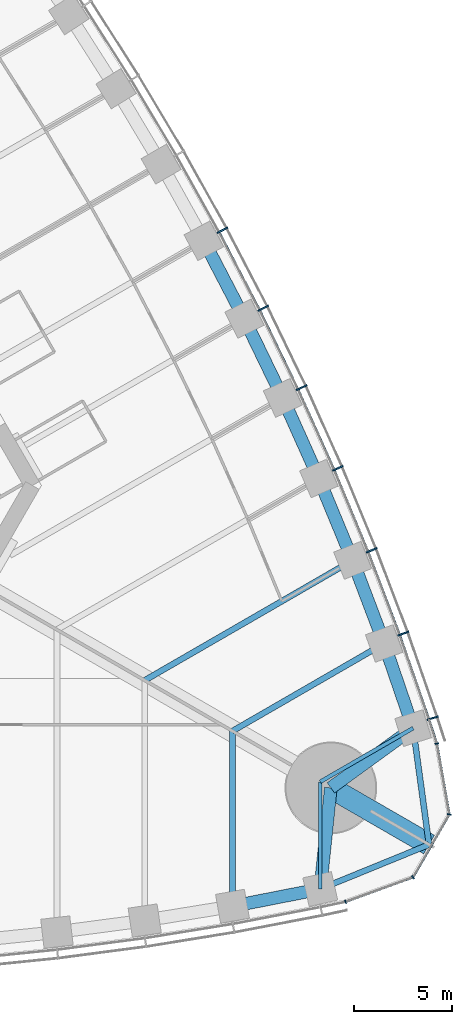
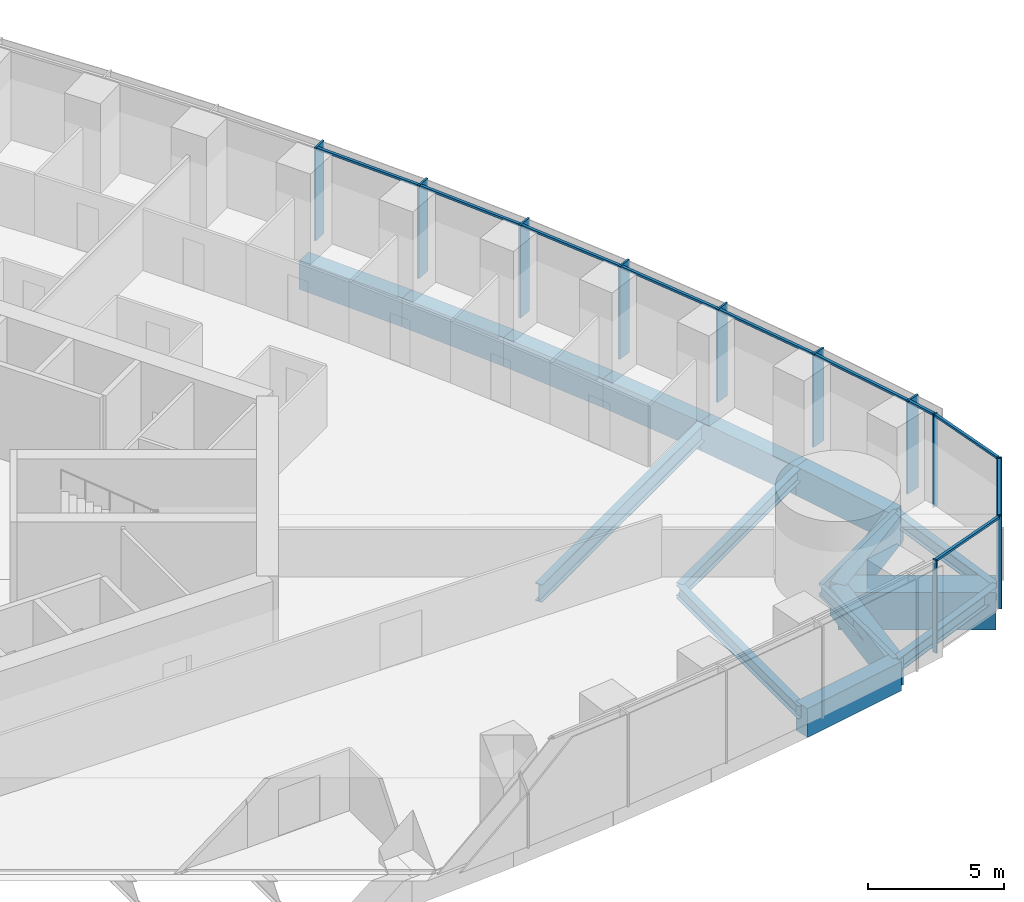
# One storey, part 6 of 18: 21 members, 17 beams, 2 elements without a shape of their own.
"""IFC4 building model written with IfcOpenShell, lengths in metres."""

from ifc_helpers import new_model, si_unit, direction, frame, origin, origin_2d, place, context, subcontext, project, spatial, rectangle, i_section, extrude, material, material_profile, profile_set, type_object, element, aggregate, save


model = new_model("IFC4")

# Units and contexts
model_context = context("Model", 3, precision=1e-05, world=origin(), true_north=direction((0.0, 1.0)))
body_context = subcontext(model_context, "Body", "Model", "MODEL_VIEW")
ifc_project = project(units=[si_unit("LENGTHUNIT", "METRE"), si_unit("AREAUNIT", "SQUARE_METRE"), si_unit("VOLUMEUNIT", "CUBIC_METRE"), si_unit("PLANEANGLEUNIT", "RADIAN"), si_unit("MASSUNIT", "GRAM", prefix="KILO")], contexts=[model_context])

# Site, building, storey
site_placement = place(None, origin())
site = spatial("IfcSite", under=ifc_project, at=site_placement, CompositionType="ELEMENT")
building_placement = place(site_placement, origin())
building = spatial("IfcBuilding", under=site, at=building_placement, Name="Trefoil Bronze Tower", CompositionType="ELEMENT")
storey_placement = place(building_placement, frame((0.0, 0.0, 54.300048828125)))
storey = spatial("IfcBuildingStorey", under=building, at=storey_placement, Name="L12", CompositionType="ELEMENT", Elevation=54.300048828125)

# Curtain wall, members
ifc_material_1 = material(Name="Tinted solar-control glass", Category="glass")
curtain_wall_type_1 = type_object("IfcCurtainWallType", Name="Bronze office curtain wall", PredefinedType="USERDEFINED", material=ifc_material_1)
curtain_wall_1_placement = place(storey_placement, origin())
curtain_wall_1 = element("IfcCurtainWall", 1, at=curtain_wall_1_placement, inside=storey, type_object=curtain_wall_type_1, Name="CW-A L12 F2", ObjectType="CURTAIN WALL", PredefinedType="USERDEFINED")
ifc_material_2 = material(Name="Bronze-finish aluminium", Category="aluminium")
ifc_material_profile_1 = material_profile(ifc_material_2, rectangle(XDim=0.60009765625, YDim=0.080078125, at=origin_2d()), Name="CW-A mullion")
ifc_profile_set_1 = profile_set([ifc_material_profile_1], Name="Bronze-finish aluminium")
member_type_1 = type_object("IfcMemberType", Name="Bronze office curtain wall mullion", PredefinedType="MULLION", material=ifc_profile_set_1)
member_1_placement = place(storey_placement, frame((37.265869140625, -14.92626953125, 0.0), z_axis=(0.0, 0.0, 1.0), x_axis=(-0.947850592929, -0.318715003543, 0.0)))
member_1 = element("IfcMember", 2, at=member_1_placement, type_object=member_type_1, Name="CW-A L12 F2 mullion 2", PredefinedType="MULLION", context=body_context, shape_type="SweptSolid", body=[
    extrude(rectangle(XDim=0.60009765625, YDim=0.080078125, at=origin_2d()), origin(), (0.0, 0.0, 1.0), 4.179931640625),
])
member_2_placement = place(storey_placement, frame((35.761962890625, -10.590087890625, 0.0), z_axis=(0.0, 0.0, 1.0), x_axis=(-0.939860248316, -0.341559238839, 0.0)))
member_2 = element("IfcMember", 3, at=member_2_placement, type_object=member_type_1, Name="CW-A L12 F2 mullion 3", PredefinedType="MULLION", context=body_context, shape_type="SweptSolid", body=[
    extrude(rectangle(XDim=0.60009765625, YDim=0.080078125, at=origin_2d()), origin(), (0.0, 0.0, 1.0), 4.179931640625),
])
member_3_placement = place(storey_placement, frame((34.138916015625, -6.32080078125, 0.0), z_axis=(0.0, 0.0, 1.0), x_axis=(-0.929413605838, -0.369039766534, 0.0)))
member_3 = element("IfcMember", 4, at=member_3_placement, type_object=member_type_1, Name="CW-A L12 F2 mullion 4", PredefinedType="MULLION", context=body_context, shape_type="SweptSolid", body=[
    extrude(rectangle(XDim=0.60009765625, YDim=0.080078125, at=origin_2d()), origin(), (0.0, 0.0, 1.0), 4.179931640625),
])
member_4_placement = place(storey_placement, frame((32.39892578125, -2.119384765625, 0.0), z_axis=(0.0, 0.0, 1.0), x_axis=(-0.918213748442, -0.396085233469, 0.0)))
member_4 = element("IfcMember", 5, at=member_4_placement, type_object=member_type_1, Name="CW-A L12 F2 mullion 5", PredefinedType="MULLION", context=body_context, shape_type="SweptSolid", body=[
    extrude(rectangle(XDim=0.60009765625, YDim=0.080078125, at=origin_2d()), origin(), (0.0, 0.0, 1.0), 4.179931640625),
])
member_5_placement = place(storey_placement, frame((30.543212890625, 2.015380859375, 0.0), z_axis=(0.0, 0.0, 1.0), x_axis=(-0.906269346572, -0.422700687798, 0.0)))
member_5 = element("IfcMember", 6, at=member_5_placement, type_object=member_type_1, Name="CW-A L12 F2 mullion 6", PredefinedType="MULLION", context=body_context, shape_type="SweptSolid", body=[
    extrude(rectangle(XDim=0.60009765625, YDim=0.080078125, at=origin_2d()), origin(), (0.0, 0.0, 1.0), 4.179931640625),
])
member_6_placement = place(storey_placement, frame((28.57275390625, 6.084228515625, 0.0), z_axis=(0.0, 0.0, 1.0), x_axis=(-0.893587025891, -0.448889994497, 0.0)))
member_6 = element("IfcMember", 7, at=member_6_placement, type_object=member_type_1, Name="CW-A L12 F2 mullion 7", PredefinedType="MULLION", context=body_context, shape_type="SweptSolid", body=[
    extrude(rectangle(XDim=0.60009765625, YDim=0.080078125, at=origin_2d()), origin(), (0.0, 0.0, 1.0), 4.179931640625),
])
member_7_placement = place(storey_placement, frame((26.488525390625, 10.0869140625, 0.0), z_axis=(0.0, 0.0, 1.0), x_axis=(-0.880171454588, -0.474655886437, 0.0)))
member_7 = element("IfcMember", 8, at=member_7_placement, type_object=member_type_1, Name="CW-A L12 F2 mullion 8", PredefinedType="MULLION", context=body_context, shape_type="SweptSolid", body=[
    extrude(rectangle(XDim=0.60009765625, YDim=0.080078125, at=origin_2d()), origin(), (0.0, 0.0, 1.0), 4.179931640625),
])
ifc_material_3 = material(Name="Bronze-finish aluminium", Category="aluminium")
ifc_material_profile_2 = material_profile(ifc_material_3, rectangle(XDim=0.1201171875, YDim=0.10009765625, at=origin_2d()), Name="CW-A transom")
ifc_profile_set_2 = profile_set([ifc_material_profile_2], Name="Bronze-finish aluminium")
member_type_2 = type_object("IfcMemberType", Name="Bronze office curtain wall transom", PredefinedType="USERDEFINED", material=ifc_profile_set_2)
member_8_placement = place(storey_placement, frame((37.4638671875, -16.1796875, 4.1298828125), z_axis=(-0.309624219148, 0.950859002648, 0.0), x_axis=(-0.950859002648, -0.309624219148, 0.0)))
member_8 = element("IfcMember", 9, at=member_8_placement, type_object=member_type_2, Name="CW-A L12 F2 transom 1", ObjectType="TRANSOM", PredefinedType="USERDEFINED", context=body_context, shape_type="SweptSolid", body=[
    extrude(rectangle(XDim=0.1201171875, YDim=0.10009765625, at=origin_2d()), origin(), (0.0, 0.0, 1.0), 1.21044921875),
])
member_9_placement = place(storey_placement, frame((37.06298828125, -14.951171875, 4.1298828125), z_axis=(-0.327689728493, 0.944785394595, 0.0), x_axis=(-0.944785394595, -0.327689728493, 0.0)))
member_9 = element("IfcMember", 10, at=member_9_placement, type_object=member_type_2, Name="CW-A L12 F2 transom 2", ObjectType="TRANSOM", PredefinedType="USERDEFINED", context=body_context, shape_type="SweptSolid", body=[
    extrude(rectangle(XDim=0.1201171875, YDim=0.10009765625, at=origin_2d()), origin(), (0.0, 0.0, 1.0), 4.502197265625),
])
member_10_placement = place(storey_placement, frame((35.559326171875, -10.61962890625, 4.1298828125), z_axis=(-0.355367327392, 0.934726731522, 0.0), x_axis=(-0.934726731522, -0.355367327392, 0.0)))
member_10 = element("IfcMember", 11, at=member_10_placement, type_object=member_type_2, Name="CW-A L12 F2 transom 3", ObjectType="TRANSOM", PredefinedType="USERDEFINED", context=body_context, shape_type="SweptSolid", body=[
    extrude(rectangle(XDim=0.1201171875, YDim=0.10009765625, at=origin_2d()), origin(), (0.0, 0.0, 1.0), 4.478515625),
])
member_11_placement = place(storey_placement, frame((33.937255859375, -6.3564453125, 4.1298828125), z_axis=(-0.382616149417, 0.923907399151, 0.0), x_axis=(-0.923907399151, -0.382616149417, 0.0)))
member_11 = element("IfcMember", 12, at=member_11_placement, type_object=member_type_2, Name="CW-A L12 F2 transom 4", ObjectType="TRANSOM", PredefinedType="USERDEFINED", context=body_context, shape_type="SweptSolid", body=[
    extrude(rectangle(XDim=0.1201171875, YDim=0.10009765625, at=origin_2d()), origin(), (0.0, 0.0, 1.0), 4.458984375),
])
member_12_placement = place(storey_placement, frame((32.1982421875, -2.16064453125, 4.1298828125), z_axis=(-0.409459746452, 0.912328184392, 0.0), x_axis=(-0.912328184392, -0.409459746452, 0.0)))
member_12 = element("IfcMember", 13, at=member_12_placement, type_object=member_type_2, Name="CW-A L12 F2 transom 5", ObjectType="TRANSOM", PredefinedType="USERDEFINED", context=body_context, shape_type="SweptSolid", body=[
    extrude(rectangle(XDim=0.1201171875, YDim=0.10009765625, at=origin_2d()), origin(), (0.0, 0.0, 1.0), 4.443359375),
])
member_13_placement = place(storey_placement, frame((30.34375, 1.96826171875, 4.1298828125), z_axis=(-0.435851763293, 0.900018466719, 0.0), x_axis=(-0.900018466719, -0.435851763293, 0.0)))
member_13 = element("IfcMember", 14, at=member_13_placement, type_object=member_type_2, Name="CW-A L12 F2 transom 6", ObjectType="TRANSOM", PredefinedType="USERDEFINED", context=body_context, shape_type="SweptSolid", body=[
    extrude(rectangle(XDim=0.1201171875, YDim=0.10009765625, at=origin_2d()), origin(), (0.0, 0.0, 1.0), 4.431884765625),
])
member_14_placement = place(storey_placement, frame((28.375, 6.031005859375, 4.1298828125), z_axis=(-0.461809621225, 0.886979071762, 0.0), x_axis=(-0.886979071762, -0.461809621225, 0.0)))
member_14 = element("IfcMember", 15, at=member_14_placement, type_object=member_type_2, Name="CW-A L12 F2 transom 7", ObjectType="TRANSOM", PredefinedType="USERDEFINED", context=body_context, shape_type="SweptSolid", body=[
    extrude(rectangle(XDim=0.1201171875, YDim=0.10009765625, at=origin_2d()), origin(), (0.0, 0.0, 1.0), 4.42431640625),
])
aggregate(curtain_wall_1, [member_1, member_2, member_3, member_4, member_5, member_6, member_7, member_8, member_9, member_10, member_11, member_12, member_13, member_14])

ifc_material_4 = material(Name="Tinted solar-control glass", Category="glass")
curtain_wall_type_2 = type_object("IfcCurtainWallType", Name="Bronze rounded corner curtain wall", PredefinedType="USERDEFINED", material=ifc_material_4)
curtain_wall_2_placement = place(storey_placement, origin())
curtain_wall_2 = element("IfcCurtainWall", 16, at=curtain_wall_2_placement, inside=storey, type_object=curtain_wall_type_2, Name="CW-B L12 K1", ObjectType="CURTAIN WALL", PredefinedType="USERDEFINED")
ifc_material_5 = material(Name="Bronze-finish aluminium", Category="aluminium")
ifc_material_profile_3 = material_profile(ifc_material_5, rectangle(XDim=0.199951171875, YDim=0.06005859375, at=origin_2d()), Name="CW-B mullion")
ifc_profile_set_3 = profile_set([ifc_material_profile_3], Name="Bronze-finish aluminium")
member_type_3 = type_object("IfcMemberType", Name="Bronze rounded corner curtain wall mullion", PredefinedType="MULLION", material=ifc_profile_set_3)
member_15_placement = place(storey_placement, frame((32.796630859375, -24.3427734375, 0.0), z_axis=(0.0, 0.0, 1.0), x_axis=(-0.342020143326, 0.939692620786, 0.0)))
member_15 = element("IfcMember", 17, at=member_15_placement, type_object=member_type_3, Name="CW-B L12 K1 mullion 1", PredefinedType="MULLION", context=body_context, shape_type="SweptSolid", body=[
    extrude(rectangle(XDim=0.199951171875, YDim=0.06005859375, at=origin_2d()), origin(), (0.0, 0.0, 1.0), 4.179931640625),
])
member_16_placement = place(storey_placement, frame((36.2548828125, -23.07763671875, 0.0), z_axis=(0.0, 0.0, 1.0), x_axis=(-0.642787609687, 0.766044443119, 0.0)))
member_16 = element("IfcMember", 18, at=member_16_placement, type_object=member_type_3, Name="CW-B L12 K1 mullion 2", PredefinedType="MULLION", context=body_context, shape_type="SweptSolid", body=[
    extrude(rectangle(XDim=0.199951171875, YDim=0.06005859375, at=origin_2d()), origin(), (0.0, 0.0, 1.0), 4.179931640625),
])
member_17_placement = place(storey_placement, frame((38.11328125, -19.85888671875, 0.0), z_axis=(0.0, 0.0, 1.0), x_axis=(-0.984807753012, 0.173648177667, 0.0)))
member_17 = element("IfcMember", 19, at=member_17_placement, type_object=member_type_3, Name="CW-B L12 K1 mullion 3", PredefinedType="MULLION", context=body_context, shape_type="SweptSolid", body=[
    extrude(rectangle(XDim=0.199951171875, YDim=0.06005859375, at=origin_2d()), origin(), (0.0, 0.0, 1.0), 4.179931640625),
])
member_18_placement = place(storey_placement, frame((37.479736328125, -16.2314453125, 0.0), z_axis=(0.0, 0.0, 1.0), x_axis=(-0.984807753012, -0.173648177667, 0.0)))
member_18 = element("IfcMember", 20, at=member_18_placement, type_object=member_type_3, Name="CW-B L12 K1 mullion 4", PredefinedType="MULLION", context=body_context, shape_type="SweptSolid", body=[
    extrude(rectangle(XDim=0.199951171875, YDim=0.06005859375, at=origin_2d()), origin(), (0.0, 0.0, 1.0), 4.179931640625),
])
ifc_material_6 = material(Name="Bronze-finish aluminium", Category="aluminium")
ifc_material_profile_4 = material_profile(ifc_material_6, rectangle(XDim=0.1201171875, YDim=0.10009765625, at=origin_2d()), Name="CW-B transom")
ifc_profile_set_4 = profile_set([ifc_material_profile_4], Name="Bronze-finish aluminium")
member_type_4 = type_object("IfcMemberType", Name="Bronze rounded corner curtain wall transom", PredefinedType="USERDEFINED", material=ifc_profile_set_4)
member_19_placement = place(storey_placement, frame((32.82470703125, -24.33251953125, 4.1298828125), z_axis=(0.939688092095, 0.342032585545, 0.0), x_axis=(-0.342032585545, 0.939688092095, 0.0)))
member_19 = element("IfcMember", 21, at=member_19_placement, type_object=member_type_4, Name="CW-B L12 K1 transom 1", ObjectType="TRANSOM", PredefinedType="USERDEFINED", context=body_context, shape_type="SweptSolid", body=[
    extrude(rectangle(XDim=0.1201171875, YDim=0.10009765625, at=origin_2d()), origin(), (0.0, 0.0, 1.0), 3.588134765625),
])
member_20_placement = place(storey_placement, frame((36.292236328125, -23.02490234375, 4.1298828125), z_axis=(0.500024788772, 0.866011091507, 0.0), x_axis=(-0.866011091507, 0.500024788772, 0.0)))
member_20 = element("IfcMember", 22, at=member_20_placement, type_object=member_type_4, Name="CW-B L12 K1 transom 2", ObjectType="TRANSOM", PredefinedType="USERDEFINED", context=body_context, shape_type="SweptSolid", body=[
    extrude(rectangle(XDim=0.1201171875, YDim=0.10009765625, at=origin_2d()), origin(), (0.0, 0.0, 1.0), 3.588134765625),
])
member_21_placement = place(storey_placement, frame((38.10791015625, -19.794677734375, 4.1298828125), z_axis=(-0.17363783606, 0.984809576461, 0.0), x_axis=(-0.984809576461, -0.17363783606, 0.0)))
member_21 = element("IfcMember", 23, at=member_21_placement, type_object=member_type_4, Name="CW-B L12 K1 transom 3", ObjectType="TRANSOM", PredefinedType="USERDEFINED", context=body_context, shape_type="SweptSolid", body=[
    extrude(rectangle(XDim=0.1201171875, YDim=0.10009765625, at=origin_2d()), origin(), (0.0, 0.0, 1.0), 3.588134765625),
])
aggregate(curtain_wall_2, [member_15, member_16, member_17, member_18, member_19, member_20, member_21])

# Beams
ifc_material_7 = material(Name="Concrete B80", Category="concrete")
ifc_material_profile_5 = material_profile(ifc_material_7, rectangle(XDim=1.10009765625, YDim=1.699951171875, at=origin_2d()), Name="RC 1100x1700")
ifc_profile_set_5 = profile_set([ifc_material_profile_5], Name="Concrete B80")
beam_type_1 = type_object("IfcBeamType", Name="Corner cantilever RC 1100x1700", PredefinedType="BEAM", material=ifc_profile_set_5)
beam_1_placement = place(storey_placement, frame((32.04296875, -18.5, -1.050048828125), z_axis=(0.866030348588, -0.499991435252, 0.0), x_axis=(0.499991435252, 0.866030348588, 0.0)))
element("IfcBeam", 24, at=beam_1_placement, inside=storey, type_object=beam_type_1, Name="Corner cantilever K1 L12", PredefinedType="BEAM", context=body_context, shape_type="SweptSolid", body=[
    extrude(rectangle(XDim=1.10009765625, YDim=1.699951171875, at=origin_2d()), origin(), (0.0, 0.0, 1.0), 5.81396484375),
])
ifc_material_8 = material(Name="Steel C355", Category="steel")
ifc_material_profile_6 = material_profile(ifc_material_8, i_section(OverallWidth=0.300048828125, OverallDepth=0.60009765625, WebThickness=0.015380859375, FlangeThickness=0.030029296875, FilletRadius=0.027099609375, at=origin_2d()), Name="HEB 600")
ifc_profile_set_6 = profile_set([ifc_material_profile_6], Name="Steel C355")
beam_type_2 = type_object("IfcBeamType", Name="Corner edge beam HEB 600", PredefinedType="BEAM", material=ifc_profile_set_6)
beam_2_placement = place(storey_placement, frame((31.5, -23.684814453125, -0.5), z_axis=(0.925786874353, 0.378045848114, 0.0), x_axis=(-0.378045848114, 0.925786874353, 0.0)))
element("IfcBeam", 25, at=beam_2_placement, inside=storey, type_object=beam_type_2, Name="Corner edge beam F1A L12", PredefinedType="BEAM", context=body_context, shape_type="SweptSolid", body=[
    extrude(i_section(OverallWidth=0.300048828125, OverallDepth=0.60009765625, WebThickness=0.015380859375, FlangeThickness=0.030029296875, FilletRadius=0.027099609375, at=origin_2d()), origin(), (0.0, 0.0, 1.0), 6.025390625),
])
beam_3_placement = place(storey_placement, frame((36.26171875, -15.4375, -0.5), z_axis=(0.13550196505, -0.990777077585, 0.0), x_axis=(0.990777077585, 0.13550196505, 0.0)))
element("IfcBeam", 26, at=beam_3_placement, inside=storey, type_object=beam_type_2, Name="Corner edge beam F2B L12", PredefinedType="BEAM", context=body_context, shape_type="SweptSolid", body=[
    extrude(i_section(OverallWidth=0.300048828125, OverallDepth=0.60009765625, WebThickness=0.015380859375, FlangeThickness=0.030029296875, FilletRadius=0.027099609375, at=origin_2d()), origin(), (0.0, 0.0, 1.0), 6.025146484375),
])
ifc_material_9 = material(Name="Concrete B80", Category="concrete")
ifc_material_profile_7 = material_profile(ifc_material_9, rectangle(XDim=0.64990234375, YDim=1.300048828125, at=origin_2d()), Name="RC 650x1300")
ifc_profile_set_7 = profile_set([ifc_material_profile_7], Name="Concrete B80")
beam_type_3 = type_object("IfcBeamType", Name="End spandrel beam RC 650x1300", PredefinedType="SPANDREL", material=ifc_profile_set_7)
for number, where, z_axis, x_axis, name in (
    (27, (31.5, -23.684814453125, -0.85009765625), (0.104153327908, 0.994561252154, 0.0), (-0.994561252154, 0.104153327908, 0.0), "Spandrel F1.16 L12"),
    (28, (32.04296875, -18.5, -0.85009765625), (0.809254211267, 0.587458612624, 0.0), (-0.587458612624, 0.809254211267, 0.0), "Spandrel F2.1 L12"),
):
    element("IfcBeam", number, at=place(storey_placement, frame(where, z_axis=z_axis, x_axis=x_axis)), inside=storey, type_object=beam_type_3, Name=name, PredefinedType="SPANDREL", context=body_context, shape_type="SweptSolid", body=[
        extrude(rectangle(XDim=0.64990234375, YDim=1.300048828125, at=origin_2d()), origin(), (0.0, 0.0, 1.0), 5.213134765625),
    ])
ifc_material_10 = material(Name="Steel C355", Category="steel")
ifc_material_profile_8 = material_profile(ifc_material_10, i_section(OverallWidth=0.300048828125, OverallDepth=0.590087890625, WebThickness=0.012939453125, FlangeThickness=0.02490234375, FilletRadius=0.027099609375, at=origin_2d()), Name="HEA 600")
ifc_profile_set_8 = profile_set([ifc_material_profile_8], Name="Steel C355")
beam_type_4 = type_object("IfcBeamType", Name="Floor beam HEA 600", PredefinedType="BEAM", material=ifc_profile_set_8)
for number, where, z_axis, x_axis, name in (
    (29, (27.0, -24.56787109375, -0.4951171875), (0.0, 1.0, 0.0), (-1.0, 0.0, 0.0), "Floor beam F1/+6 L12"),
    (30, (34.7763671875, -11.0986328125, -0.4951171875), (-0.866022587327, -0.500004878216, 0.0), (0.500004878216, -0.866022587327, 0.0), "Floor beam F2/-6 L12"),
):
    element("IfcBeam", number, at=place(storey_placement, frame(where, z_axis=z_axis, x_axis=x_axis)), inside=storey, type_object=beam_type_4, Name=name, PredefinedType="BEAM", context=body_context, shape_type="SweptSolid", body=[
        extrude(i_section(OverallWidth=0.300048828125, OverallDepth=0.590087890625, WebThickness=0.012939453125, FlangeThickness=0.02490234375, FilletRadius=0.027099609375, at=origin_2d()), origin(), (0.0, 0.0, 1.0), 8.9794921875),
    ])
ifc_material_11 = material(Name="Steel C355", Category="steel")
ifc_material_profile_9 = material_profile(ifc_material_11, i_section(OverallWidth=0.300048828125, OverallDepth=0.800048828125, WebThickness=0.017578125, FlangeThickness=0.032958984375, FilletRadius=0.030029296875, at=origin_2d()), Name="HEB 800")
ifc_profile_set_9 = profile_set([ifc_material_profile_9], Name="Steel C355")
beam_type_5 = type_object("IfcBeamType", Name="Floor beam HEB 800", PredefinedType="BEAM", material=ifc_profile_set_9)
beam_4_placement = place(storey_placement, frame((33.159912109375, -6.8359375, -0.60009765625), z_axis=(-0.866024070878, -0.500002308654, 0.0), x_axis=(0.500002308654, -0.866024070878, 0.0)))
element("IfcBeam", 31, at=beam_4_placement, inside=storey, type_object=beam_type_5, Name="Floor beam F2/-5 L12", PredefinedType="BEAM", context=body_context, shape_type="SweptSolid", body=[
    extrude(i_section(OverallWidth=0.300048828125, OverallDepth=0.800048828125, WebThickness=0.017578125, FlangeThickness=0.032958984375, FilletRadius=0.030029296875, at=origin_2d()), origin(), (0.0, 0.0, 1.0), 12.30908203125),
])
ifc_material_12 = material(Name="Steel C355", Category="steel")
ifc_material_profile_10 = material_profile(ifc_material_12, i_section(OverallWidth=0.199951171875, OverallDepth=0.5, WebThickness=0.01025390625, FlangeThickness=0.01611328125, FilletRadius=0.02099609375, at=origin_2d()), Name="IPE 500")
ifc_profile_set_10 = profile_set([ifc_material_profile_10], Name="Steel C355")
beam_type_6 = type_object("IfcBeamType", Name="Floor beam IPE 500", PredefinedType="BEAM", material=ifc_profile_set_10)
for number, where, z_axis, x_axis, name in (
    (32, (31.5, -23.684814453125, -0.449951171875), (0.0, 1.0, 0.0), (-1.0, 0.0, 0.0), "Floor beam F1/+7 L12"),
    (33, (36.26171875, -15.4375, -0.449951171875), (-0.866037702141, -0.499978698016, 0.0), (0.499978698016, -0.866037702141, 0.0), "Floor beam F2/-7 L12"),
):
    element("IfcBeam", number, at=place(storey_placement, frame(where, z_axis=z_axis, x_axis=x_axis)), inside=storey, type_object=beam_type_6, Name=name, PredefinedType="BEAM", context=body_context, shape_type="SweptSolid", body=[
        extrude(i_section(OverallWidth=0.199951171875, OverallDepth=0.5, WebThickness=0.01025390625, FlangeThickness=0.01611328125, FilletRadius=0.02099609375, at=origin_2d()), origin(), (0.0, 0.0, 1.0), 5.498291015625),
    ])
ifc_material_13 = material(Name="Concrete B80", Category="concrete")
ifc_material_profile_11 = material_profile(ifc_material_13, rectangle(XDim=0.64990234375, YDim=1.300048828125, at=origin_2d()), Name="RC 650x1300")
ifc_profile_set_11 = profile_set([ifc_material_profile_11], Name="Concrete B80")
beam_type_7 = type_object("IfcBeamType", Name="Spandrel beam RC 650x1300", PredefinedType="SPANDREL", material=ifc_profile_set_11)
beam_5_placement = place(storey_placement, frame((27.0, -24.56787109375, -0.85009765625), z_axis=(0.981284764092, 0.192562228283, 0.0), x_axis=(-0.192562228283, 0.981284764092, 0.0)))
element("IfcBeam", 34, at=beam_5_placement, inside=storey, type_object=beam_type_7, Name="Spandrel F1.15 L12", PredefinedType="SPANDREL", context=body_context, shape_type="SweptSolid", body=[
    extrude(rectangle(XDim=0.64990234375, YDim=1.300048828125, at=origin_2d()), origin(), (0.0, 0.0, 1.0), 4.5859375),
])
beam_6_placement = place(storey_placement, frame((36.26171875, -15.4375, -0.85009765625), z_axis=(-0.323883319148, 0.946097032855, 0.0), x_axis=(-0.946097032855, -0.323883319148, 0.0)))
element("IfcBeam", 35, at=beam_6_placement, inside=storey, type_object=beam_type_7, Name="Spandrel F2.2 L12", PredefinedType="SPANDREL", context=body_context, shape_type="SweptSolid", body=[
    extrude(rectangle(XDim=0.64990234375, YDim=1.300048828125, at=origin_2d()), origin(), (0.0, 0.0, 1.0), 4.586181640625),
])
beam_7_placement = place(storey_placement, frame((34.7763671875, -11.0986328125, -0.85009765625), z_axis=(-0.354571899767, 0.935028752443, 0.0), x_axis=(-0.935028752443, -0.354571899767, 0.0)))
element("IfcBeam", 36, at=beam_7_placement, inside=storey, type_object=beam_type_7, Name="Spandrel F2.3 L12", PredefinedType="SPANDREL", context=body_context, shape_type="SweptSolid", body=[
    extrude(rectangle(XDim=0.64990234375, YDim=1.300048828125, at=origin_2d()), origin(), (0.0, 0.0, 1.0), 4.558837890625),
])
beam_8_placement = place(storey_placement, frame((33.159912109375, -6.8359375, -0.85009765625), z_axis=(-0.382020825144, 0.924153715113, 0.0), x_axis=(-0.924153715113, -0.382020825144, 0.0)))
element("IfcBeam", 37, at=beam_8_placement, inside=storey, type_object=beam_type_7, Name="Spandrel F2.4 L12", PredefinedType="SPANDREL", context=body_context, shape_type="SweptSolid", body=[
    extrude(rectangle(XDim=0.64990234375, YDim=1.300048828125, at=origin_2d()), origin(), (0.0, 0.0, 1.0), 4.539306640625),
])
beam_9_placement = place(storey_placement, frame((31.42578125, -2.640869140625, -0.85009765625), z_axis=(-0.408945873044, 0.912558640812, 0.0), x_axis=(-0.912558640812, -0.408945873044, 0.0)))
element("IfcBeam", 38, at=beam_9_placement, inside=storey, type_object=beam_type_7, Name="Spandrel F2.5 L12", PredefinedType="SPANDREL", context=body_context, shape_type="SweptSolid", body=[
    extrude(rectangle(XDim=0.64990234375, YDim=1.300048828125, at=origin_2d()), origin(), (0.0, 0.0, 1.0), 4.5234375),
])
beam_10_placement = place(storey_placement, frame((29.575927734375, 1.487060546875, -0.85009765625), z_axis=(-0.435510013583, 0.900183885697, 0.0), x_axis=(-0.900183885697, -0.435510013583, 0.0)))
element("IfcBeam", 39, at=beam_10_placement, inside=storey, type_object=beam_type_7, Name="Spandrel F2.6 L12", PredefinedType="SPANDREL", context=body_context, shape_type="SweptSolid", body=[
    extrude(rectangle(XDim=0.64990234375, YDim=1.300048828125, at=origin_2d()), origin(), (0.0, 0.0, 1.0), 4.51220703125),
])
beam_11_placement = place(storey_placement, frame((27.61083984375, 5.548828125, -0.85009765625), z_axis=(-0.461637716615, 0.887068553495, 0.0), x_axis=(-0.887068553495, -0.461637716615, 0.0)))
element("IfcBeam", 40, at=beam_11_placement, inside=storey, type_object=beam_type_7, Name="Spandrel F2.7 L12", PredefinedType="SPANDREL", context=body_context, shape_type="SweptSolid", body=[
    extrude(rectangle(XDim=0.64990234375, YDim=1.300048828125, at=origin_2d()), origin(), (0.0, 0.0, 1.0), 4.50439453125),
])

save(model, "model.ifc")
